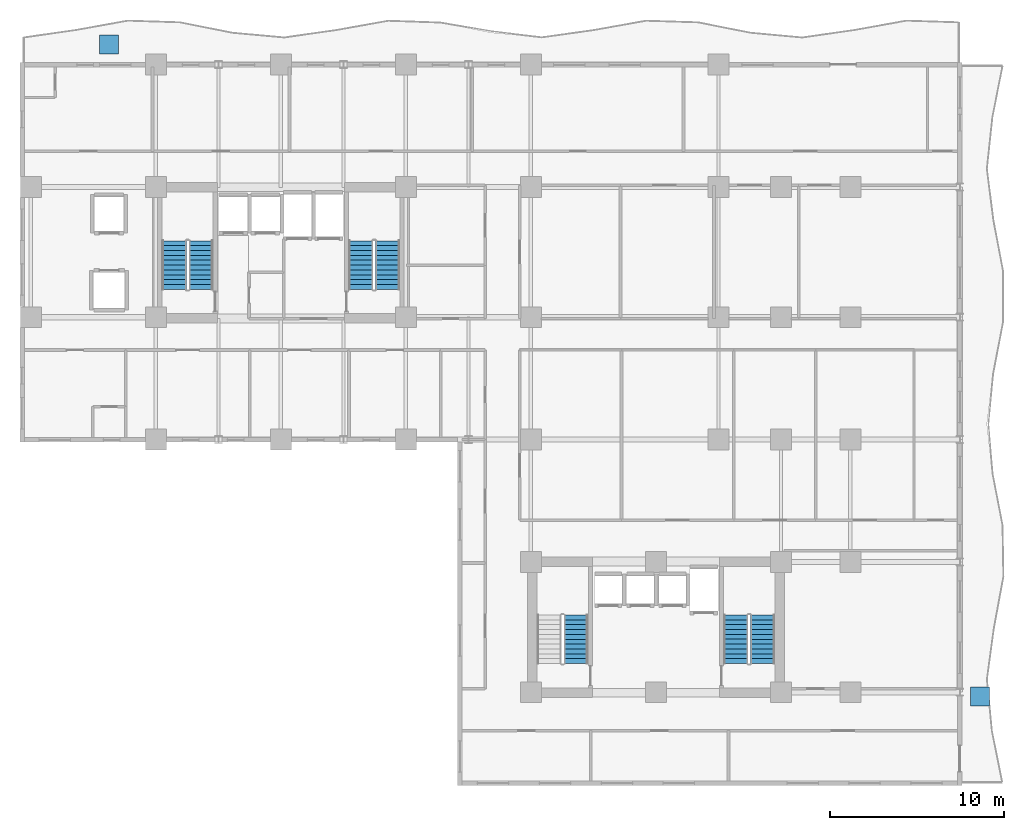
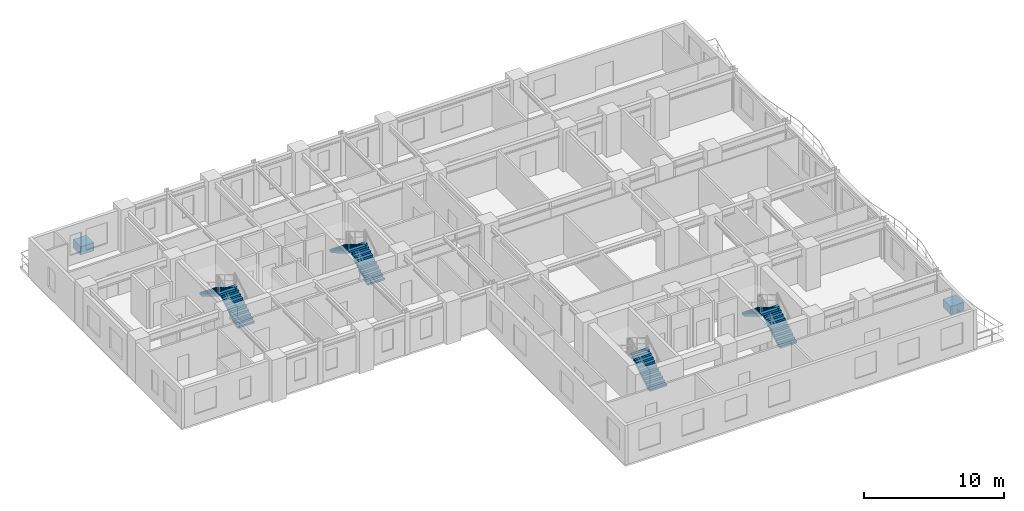
# One storey, part 8 of 11: 7 stair flights, 2 discrete accessories, 4 elements without a shape of their own.
"""IFC4 building model written with IfcOpenShell, lengths in metres."""

from ifc_helpers import new_model, si_unit, direction, frame, origin, origin_2d, place, context, subcontext, project, spatial, polyline, rectangle, outline, extrude, source, transform, mapped, material, type_object, element, aggregate, save


model = new_model("IFC4")

# Units and contexts
model_context = context("Model", 3, precision=1e-05, world=origin(), true_north=direction((0.0, 1.0)))
body_context = subcontext(model_context, "Body", "Model", "MODEL_VIEW")
ifc_project = project(units=[si_unit("LENGTHUNIT", "METRE"), si_unit("AREAUNIT", "SQUARE_METRE"), si_unit("VOLUMEUNIT", "CUBIC_METRE"), si_unit("PLANEANGLEUNIT", "RADIAN"), si_unit("MASSUNIT", "GRAM", prefix="KILO")], contexts=[model_context])

# Site, building, storey
site_placement = place(None, origin())
site = spatial("IfcSite", under=ifc_project, at=site_placement, CompositionType="ELEMENT")
building_placement = place(site_placement, origin())
building = spatial("IfcBuilding", under=site, at=building_placement, Name="Kaliganga Portal Commons", CompositionType="ELEMENT")
storey_placement = place(building_placement, frame((0.0, 0.0, 100.800048828125)))
storey = spatial("IfcBuildingStorey", under=building, at=storey_placement, Name="L25", CompositionType="ELEMENT", Elevation=100.800048828125)

# Stair, stair flights
ifc_material_1 = material(Name="Concrete C40/50", Category="concrete")
stair_type = type_object("IfcStairType", Name="ST-CORE-DOGLEG", PredefinedType="HALF_TURN_STAIR", material=ifc_material_1)
stair_1_placement = place(storey_placement, origin())
stair_1 = element("IfcStair", 1, at=stair_1_placement, inside=storey, type_object=stair_type, Name="L25 Protected Exit Stair ST-A1", PredefinedType="HALF_TURN_STAIR")
stair_flight_type = type_object("IfcStairFlightType", Name="STF-RC-1400", PredefinedType="STRAIGHT", material=ifc_material_1)
stair_flight_1_placement = place(storey_placement, frame((17.0, 30.25, 0.0), z_axis=(0.0, 0.0, 1.0), x_axis=(0.0, 1.0, 0.0)))
stair_flight_1 = element("IfcStairFlight", 2, at=stair_flight_1_placement, type_object=stair_flight_type, Name="ST-A1 flight 1", NumberOfRisers=11, NumberOfTreads=10, PredefinedType="STRAIGHT", RiserHeight=0.168181818, TreadLength=0.28, context=body_context, shape_type="SweptSolid", body=[
    extrude(outline(polyline([(0.0, 0.0), (0.0, 0.168212890625), (0.280029296875, 0.168212890625), (0.280029296875, 0.33642578125), (0.56005859375, 0.33642578125), (0.56005859375, 0.504638671875), (0.840087890625, 0.504638671875), (0.840087890625, 0.672607421875), (1.1201171875, 0.672607421875), (1.1201171875, 0.8408203125), (1.39990234375, 0.8408203125), (1.39990234375, 1.009033203125), (1.679931640625, 1.009033203125), (1.679931640625, 1.17724609375), (1.9599609375, 1.17724609375), (1.9599609375, 1.345458984375), (2.239990234375, 1.345458984375), (2.239990234375, 1.513671875), (2.52001953125, 1.513671875), (2.52001953125, 1.681884765625), (2.800048828125, 1.681884765625), (2.800048828125, 1.85009765625), (2.800048828125, 1.5068359375), (0.291015625, 0.0), (0.0, 0.0)])), frame((0.0, 0.699951171875, 0.0), z_axis=(0.0, -1.0, 0.0), x_axis=(1.0, 0.0, 0.0)), (0.0, 0.0, 1.0), 1.39990234375),
])
stair_flight_2_placement = place(storey_placement, frame((15.449951171875, 33.050048828125, 1.849853515625), z_axis=(0.0, 0.0, 1.0), x_axis=(0.0, -1.0, 0.0)))
stair_flight_2 = element("IfcStairFlight", 3, at=stair_flight_2_placement, type_object=stair_flight_type, Name="ST-A1 flight 2", NumberOfRisers=11, NumberOfTreads=10, PredefinedType="STRAIGHT", RiserHeight=0.168181818, TreadLength=0.28, context=body_context, shape_type="SweptSolid", body=[
    extrude(outline(polyline([(0.0, 0.0), (0.0, 0.168212890625), (0.280029296875, 0.168212890625), (0.280029296875, 0.33642578125), (0.56005859375, 0.33642578125), (0.56005859375, 0.504638671875), (0.840087890625, 0.504638671875), (0.840087890625, 0.672607421875), (1.1201171875, 0.672607421875), (1.1201171875, 0.8408203125), (1.39990234375, 0.8408203125), (1.39990234375, 1.009033203125), (1.679931640625, 1.009033203125), (1.679931640625, 1.17724609375), (1.9599609375, 1.17724609375), (1.9599609375, 1.345458984375), (2.239990234375, 1.345458984375), (2.239990234375, 1.513671875), (2.52001953125, 1.513671875), (2.52001953125, 1.681884765625), (2.800048828125, 1.681884765625), (2.800048828125, 1.85009765625), (2.800048828125, 1.5068359375), (0.291015625, 0.0), (0.0, 0.0)])), frame((0.0, 0.699951171875, 0.0), z_axis=(0.0, -1.0, 0.0), x_axis=(1.0, 0.0, 0.0)), (0.0, 0.0, 1.0), 1.39990234375),
])
aggregate(stair_1, [stair_flight_1, stair_flight_2])

stair_2_placement = place(storey_placement, origin())
stair_2 = element("IfcStair", 4, at=stair_2_placement, inside=storey, type_object=stair_type, Name="L25 Protected Exit Stair ST-A2", PredefinedType="HALF_TURN_STAIR")
stair_flight_3_placement = place(storey_placement, frame((27.75, 30.25, 0.0), z_axis=(0.0, 0.0, 1.0), x_axis=(0.0, 1.0, 0.0)))
stair_flight_3 = element("IfcStairFlight", 5, at=stair_flight_3_placement, type_object=stair_flight_type, Name="ST-A2 flight 1", NumberOfRisers=11, NumberOfTreads=10, PredefinedType="STRAIGHT", RiserHeight=0.168181818, TreadLength=0.28, context=body_context, shape_type="SweptSolid", body=[
    extrude(outline(polyline([(0.0, 0.0), (0.0, 0.168212890625), (0.280029296875, 0.168212890625), (0.280029296875, 0.33642578125), (0.56005859375, 0.33642578125), (0.56005859375, 0.504638671875), (0.840087890625, 0.504638671875), (0.840087890625, 0.672607421875), (1.1201171875, 0.672607421875), (1.1201171875, 0.8408203125), (1.39990234375, 0.8408203125), (1.39990234375, 1.009033203125), (1.679931640625, 1.009033203125), (1.679931640625, 1.17724609375), (1.9599609375, 1.17724609375), (1.9599609375, 1.345458984375), (2.239990234375, 1.345458984375), (2.239990234375, 1.513671875), (2.52001953125, 1.513671875), (2.52001953125, 1.681884765625), (2.800048828125, 1.681884765625), (2.800048828125, 1.85009765625), (2.800048828125, 1.5068359375), (0.291015625, 0.0), (0.0, 0.0)])), frame((0.0, 0.699951171875, 0.0), z_axis=(0.0, -1.0, 0.0), x_axis=(1.0, 0.0, 0.0)), (0.0, 0.0, 1.0), 1.39990234375),
])
stair_flight_4_placement = place(storey_placement, frame((26.199951171875, 33.050048828125, 1.849853515625), z_axis=(0.0, 0.0, 1.0), x_axis=(0.0, -1.0, 0.0)))
stair_flight_4 = element("IfcStairFlight", 6, at=stair_flight_4_placement, type_object=stair_flight_type, Name="ST-A2 flight 2", NumberOfRisers=11, NumberOfTreads=10, PredefinedType="STRAIGHT", RiserHeight=0.168181818, TreadLength=0.28, context=body_context, shape_type="SweptSolid", body=[
    extrude(outline(polyline([(0.0, 0.0), (0.0, 0.168212890625), (0.280029296875, 0.168212890625), (0.280029296875, 0.33642578125), (0.56005859375, 0.33642578125), (0.56005859375, 0.504638671875), (0.840087890625, 0.504638671875), (0.840087890625, 0.672607421875), (1.1201171875, 0.672607421875), (1.1201171875, 0.8408203125), (1.39990234375, 0.8408203125), (1.39990234375, 1.009033203125), (1.679931640625, 1.009033203125), (1.679931640625, 1.17724609375), (1.9599609375, 1.17724609375), (1.9599609375, 1.345458984375), (2.239990234375, 1.345458984375), (2.239990234375, 1.513671875), (2.52001953125, 1.513671875), (2.52001953125, 1.681884765625), (2.800048828125, 1.681884765625), (2.800048828125, 1.85009765625), (2.800048828125, 1.5068359375), (0.291015625, 0.0), (0.0, 0.0)])), frame((0.0, 0.699951171875, 0.0), z_axis=(0.0, -1.0, 0.0), x_axis=(1.0, 0.0, 0.0)), (0.0, 0.0, 1.0), 1.39990234375),
])
aggregate(stair_2, [stair_flight_3, stair_flight_4])

# Stair, stair flight
stair_3_placement = place(storey_placement, origin())
stair_3 = element("IfcStair", 7, at=stair_3_placement, inside=storey, type_object=stair_type, Name="L25 Protected Exit Stair ST-B1", PredefinedType="HALF_TURN_STAIR")
stair_flight_5_placement = place(storey_placement, frame((38.60009765625, 8.699951171875, 0.0), z_axis=(0.0, 0.0, 1.0), x_axis=(0.0, 1.0, 0.0)))
stair_flight_5 = element("IfcStairFlight", 8, at=stair_flight_5_placement, type_object=stair_flight_type, Name="ST-B1 flight 1", NumberOfRisers=11, NumberOfTreads=10, PredefinedType="STRAIGHT", RiserHeight=0.168181818, TreadLength=0.28, context=body_context, shape_type="SweptSolid", body=[
    extrude(outline(polyline([(0.0, 0.0), (0.0, 0.168212890625), (0.280029296875, 0.168212890625), (0.280029296875, 0.33642578125), (0.56005859375, 0.33642578125), (0.56005859375, 0.504638671875), (0.840087890625, 0.504638671875), (0.840087890625, 0.672607421875), (1.1201171875, 0.672607421875), (1.1201171875, 0.8408203125), (1.39990234375, 0.8408203125), (1.39990234375, 1.009033203125), (1.679931640625, 1.009033203125), (1.679931640625, 1.17724609375), (1.9599609375, 1.17724609375), (1.9599609375, 1.345458984375), (2.239990234375, 1.345458984375), (2.239990234375, 1.513671875), (2.52001953125, 1.513671875), (2.52001953125, 1.681884765625), (2.800048828125, 1.681884765625), (2.800048828125, 1.85009765625), (2.800048828125, 1.5068359375), (0.291015625, 0.0), (0.0, 0.0)])), frame((0.0, 0.699951171875, 0.0), z_axis=(0.0, -1.0, 0.0), x_axis=(1.0, 0.0, 0.0)), (0.0, 0.0, 1.0), 1.39990234375),
])
aggregate(stair_3, [stair_flight_5])

# Stair, stair flights
stair_4_placement = place(storey_placement, origin())
stair_4 = element("IfcStair", 9, at=stair_4_placement, inside=storey, type_object=stair_type, Name="L25 Protected Exit Stair ST-B2", PredefinedType="HALF_TURN_STAIR")
stair_flight_6_placement = place(storey_placement, frame((49.35009765625, 8.699951171875, 0.0), z_axis=(0.0, 0.0, 1.0), x_axis=(0.0, 1.0, 0.0)))
stair_flight_6 = element("IfcStairFlight", 10, at=stair_flight_6_placement, type_object=stair_flight_type, Name="ST-B2 flight 1", NumberOfRisers=11, NumberOfTreads=10, PredefinedType="STRAIGHT", RiserHeight=0.168181818, TreadLength=0.28, context=body_context, shape_type="SweptSolid", body=[
    extrude(outline(polyline([(0.0, 0.0), (0.0, 0.168212890625), (0.280029296875, 0.168212890625), (0.280029296875, 0.33642578125), (0.56005859375, 0.33642578125), (0.56005859375, 0.504638671875), (0.840087890625, 0.504638671875), (0.840087890625, 0.672607421875), (1.1201171875, 0.672607421875), (1.1201171875, 0.8408203125), (1.39990234375, 0.8408203125), (1.39990234375, 1.009033203125), (1.679931640625, 1.009033203125), (1.679931640625, 1.17724609375), (1.9599609375, 1.17724609375), (1.9599609375, 1.345458984375), (2.239990234375, 1.345458984375), (2.239990234375, 1.513671875), (2.52001953125, 1.513671875), (2.52001953125, 1.681884765625), (2.800048828125, 1.681884765625), (2.800048828125, 1.85009765625), (2.800048828125, 1.5068359375), (0.291015625, 0.0), (0.0, 0.0)])), frame((0.0, 0.699951171875, 0.0), z_axis=(0.0, -1.0, 0.0), x_axis=(1.0, 0.0, 0.0)), (0.0, 0.0, 1.0), 1.39990234375),
])
stair_flight_7_placement = place(storey_placement, frame((47.800048828125, 11.5, 1.849853515625), z_axis=(0.0, 0.0, 1.0), x_axis=(0.0, -1.0, 0.0)))
stair_flight_7 = element("IfcStairFlight", 11, at=stair_flight_7_placement, type_object=stair_flight_type, Name="ST-B2 flight 2", NumberOfRisers=11, NumberOfTreads=10, PredefinedType="STRAIGHT", RiserHeight=0.168181818, TreadLength=0.28, context=body_context, shape_type="SweptSolid", body=[
    extrude(outline(polyline([(0.0, 0.0), (0.0, 0.168212890625), (0.280029296875, 0.168212890625), (0.280029296875, 0.33642578125), (0.56005859375, 0.33642578125), (0.56005859375, 0.504638671875), (0.840087890625, 0.504638671875), (0.840087890625, 0.672607421875), (1.1201171875, 0.672607421875), (1.1201171875, 0.8408203125), (1.39990234375, 0.8408203125), (1.39990234375, 1.009033203125), (1.679931640625, 1.009033203125), (1.679931640625, 1.17724609375), (1.9599609375, 1.17724609375), (1.9599609375, 1.345458984375), (2.239990234375, 1.345458984375), (2.239990234375, 1.513671875), (2.52001953125, 1.513671875), (2.52001953125, 1.681884765625), (2.800048828125, 1.681884765625), (2.800048828125, 1.85009765625), (2.800048828125, 1.5068359375), (0.291015625, 0.0), (0.0, 0.0)])), frame((0.0, 0.699951171875, 0.0), z_axis=(0.0, -1.0, 0.0), x_axis=(1.0, 0.0, 0.0)), (0.0, 0.0, 1.0), 1.39990234375),
])
aggregate(stair_4, [stair_flight_6, stair_flight_7])

# Discrete accessories
ifc_material_2 = material(Name="Precast concrete C40/50", Category="concrete")
discrete_accessory_type = type_object("IfcDiscreteAccessoryType", Name="DAC-PLANTER-RC", PredefinedType="USERDEFINED", material=ifc_material_2)
shared_shape = source(origin(), body_context, "Body", "SweptSolid", [
    extrude(rectangle(XDim=1.10009765625, YDim=1.10009765625, at=origin_2d()), origin(), (0.0, 0.0, 1.0), 0.719970703125),
])
for number, where, z_axis, x_axis, name in (
    (12, (11.699951171875, 44.35009765625, 0.0), (0.0, 0.0, 1.0), (1.0, 0.0, 0.0), "Structural Tree Planter L25 balc_north"),
    (13, (61.85009765625, 6.800048828125, 0.0), (0.0, 0.0, 1.0), (1.0, 0.0, 0.0), "Structural Tree Planter L25 balc_east"),
):
    element("IfcDiscreteAccessory", number, at=place(storey_placement, frame(where, z_axis=z_axis, x_axis=x_axis)), inside=storey, type_object=discrete_accessory_type, Name=name, ObjectType="PLANTER", PredefinedType="USERDEFINED", context=body_context, shape_type="MappedRepresentation", body=[
        mapped(shared_shape, transform((0.0, 0.0, 0.0), x_axis=(1.0, 0.0, 0.0), y_axis=(0.0, 1.0, 0.0), z_axis=(0.0, 0.0, 1.0), scale=1.0)),
    ])

save(model, "model.ifc")
